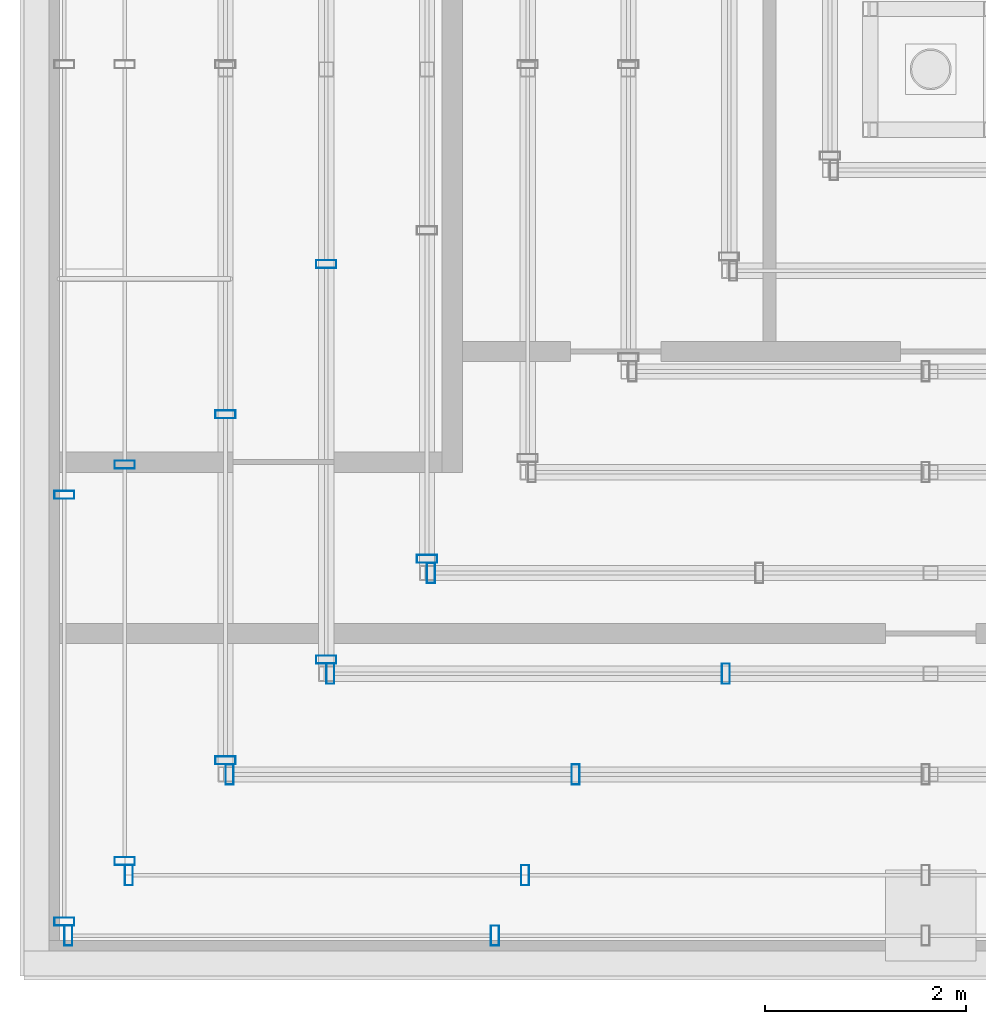
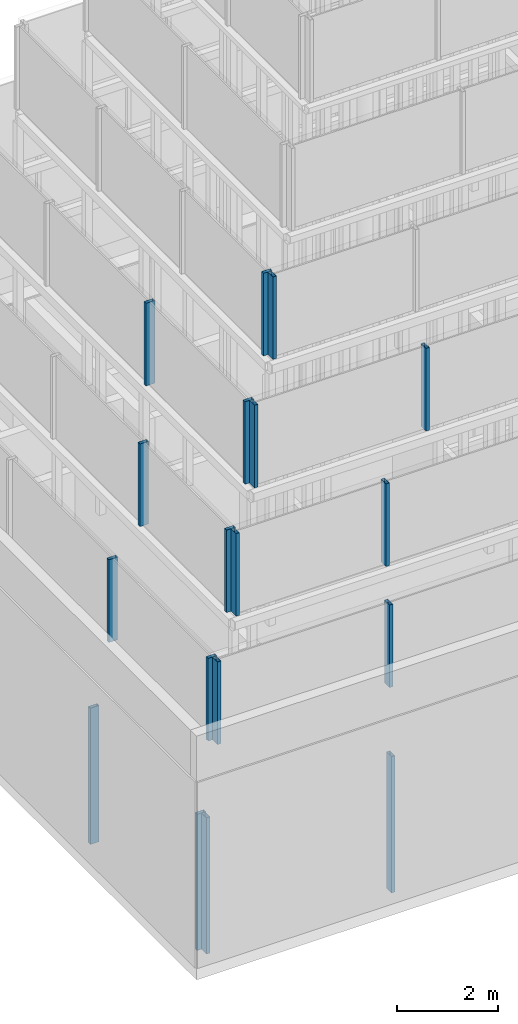
# One storey, part 4 of 24: 18 members, 10 elements without a shape of their own.
"""IFC4 building model written with IfcOpenShell, lengths in metres."""

from ifc_helpers import new_model, si_unit, direction, frame, origin, origin_2d, place, context, subcontext, project, spatial, hollow_rectangle, extrude, material, material_profile, profile_set, type_object, element, aggregate, save


model = new_model("IFC4")

# Units and contexts
model_context = context("Model", 3, precision=1e-05, world=origin(), true_north=direction((0.0, 1.0)))
body_context = subcontext(model_context, "Body", "Model", "MODEL_VIEW")
ifc_project = project(units=[si_unit("LENGTHUNIT", "METRE"), si_unit("AREAUNIT", "SQUARE_METRE"), si_unit("VOLUMEUNIT", "CUBIC_METRE"), si_unit("PLANEANGLEUNIT", "RADIAN"), si_unit("MASSUNIT", "GRAM", prefix="KILO")], contexts=[model_context])

# Site, building, storey
site_placement = place(None, origin())
site = spatial("IfcSite", under=ifc_project, at=site_placement, CompositionType="ELEMENT")
building_placement = place(site_placement, origin())
building = spatial("IfcBuilding", under=site, at=building_placement, Name="Altepetl Exchange Towers", CompositionType="ELEMENT")
storey_placement = place(building_placement, frame((0.0, 0.0, 279.10009765625)))
storey = spatial("IfcBuildingStorey", under=building, at=storey_placement, Name="L70 Crown plant", CompositionType="ELEMENT", Elevation=279.10009765625)

# Curtain wall, members
ifc_material_1 = material(Name="Aluminium 6063-T6 glazing", Category="aluminium")
curtain_wall_type = type_object("IfcCurtainWallType", Name="Crown glazing system", PredefinedType="NOTDEFINED", material=ifc_material_1)
curtain_wall_1_placement = place(storey_placement, origin())
curtain_wall_1 = element("IfcCurtainWall", 1, at=curtain_wall_1_placement, inside=storey, type_object=curtain_wall_type, Name="CW7 run", PredefinedType="NOTDEFINED")
ifc_material_2 = material(Name="Aluminium 6063-T6", Category="aluminium")
ifc_material_profile = material_profile(ifc_material_2, hollow_rectangle(XDim=0.080078125, YDim=0.199951171875, WallThickness=0.0029296875, at=origin_2d()), Name="Mullion 80x200 hollow aluminium")
ifc_profile_set = profile_set([ifc_material_profile], Name="Aluminium 6063-T6")
member_type = type_object("IfcMemberType", Name="Mullion 80x200 hollow aluminium", PredefinedType="MULLION", material=ifc_profile_set)
member_1_placement = place(storey_placement, frame((40.89990234375, 45.27490234375, 0.0), z_axis=(0.0, 0.0, 1.0), x_axis=(0.0, -1.0, 0.0)))
member_1 = element("IfcMember", 2, at=member_1_placement, type_object=member_type, Name="MU5 mullion", PredefinedType="MULLION", context=body_context, shape_type="SweptSolid", body=[
    extrude(hollow_rectangle(XDim=0.080078125, YDim=0.199951171875, WallThickness=0.0029296875, at=origin_2d()), origin(), (0.0, 0.0, 1.0), 3.2998046875),
])
member_2_placement = place(storey_placement, frame((40.89990234375, 41.0400390625, 0.0), z_axis=(0.0, 0.0, 1.0), x_axis=(0.0, -1.0, 0.0)))
member_2 = element("IfcMember", 3, at=member_2_placement, type_object=member_type, Name="MU5 mullion", PredefinedType="MULLION", context=body_context, shape_type="SweptSolid", body=[
    extrude(hollow_rectangle(XDim=0.080078125, YDim=0.199951171875, WallThickness=0.0029296875, at=origin_2d()), origin(), (0.0, 0.0, 1.0), 3.2998046875),
])
aggregate(curtain_wall_1, [member_1, member_2])

curtain_wall_2_placement = place(storey_placement, origin())
curtain_wall_2 = element("IfcCurtainWall", 4, at=curtain_wall_2_placement, inside=storey, type_object=curtain_wall_type, Name="CW7 run", PredefinedType="NOTDEFINED")
member_3_placement = place(storey_placement, frame((40.93994140625, 40.89990234375, 0.0)))
member_3 = element("IfcMember", 5, at=member_3_placement, type_object=member_type, Name="MU5 mullion", PredefinedType="MULLION", context=body_context, shape_type="SweptSolid", body=[
    extrude(hollow_rectangle(XDim=0.080078125, YDim=0.199951171875, WallThickness=0.0029296875, at=origin_2d()), origin(), (0.0, 0.0, 1.0), 3.2998046875),
])
member_4_placement = place(storey_placement, frame((45.175048828125, 40.89990234375, 0.0)))
member_4 = element("IfcMember", 6, at=member_4_placement, type_object=member_type, Name="MU5 mullion", PredefinedType="MULLION", context=body_context, shape_type="SweptSolid", body=[
    extrude(hollow_rectangle(XDim=0.080078125, YDim=0.199951171875, WallThickness=0.0029296875, at=origin_2d()), origin(), (0.0, 0.0, 1.0), 3.2998046875),
])
aggregate(curtain_wall_2, [member_3, member_4])

curtain_wall_3_placement = place(storey_placement, origin())
curtain_wall_3 = element("IfcCurtainWall", 7, at=curtain_wall_3_placement, inside=storey, type_object=curtain_wall_type, Name="CW7 run", PredefinedType="NOTDEFINED")
member_5_placement = place(storey_placement, frame((41.5400390625, 41.5, 4.5)))
member_5 = element("IfcMember", 8, at=member_5_placement, type_object=member_type, Name="MU5 mullion", PredefinedType="MULLION", context=body_context, shape_type="SweptSolid", body=[
    extrude(hollow_rectangle(XDim=0.080078125, YDim=0.199951171875, WallThickness=0.0029296875, at=origin_2d()), origin(), (0.0, 0.0, 1.0), 2.0),
])
member_6_placement = place(storey_placement, frame((45.47509765625, 41.5, 4.5)))
member_6 = element("IfcMember", 9, at=member_6_placement, type_object=member_type, Name="MU5 mullion", PredefinedType="MULLION", context=body_context, shape_type="SweptSolid", body=[
    extrude(hollow_rectangle(XDim=0.080078125, YDim=0.199951171875, WallThickness=0.0029296875, at=origin_2d()), origin(), (0.0, 0.0, 1.0), 2.0),
])
aggregate(curtain_wall_3, [member_5, member_6])

curtain_wall_4_placement = place(storey_placement, origin())
curtain_wall_4 = element("IfcCurtainWall", 10, at=curtain_wall_4_placement, inside=storey, type_object=curtain_wall_type, Name="CW7 run", PredefinedType="NOTDEFINED")
member_7_placement = place(storey_placement, frame((41.5, 45.574951171875, 4.5), z_axis=(0.0, 0.0, 1.0), x_axis=(0.0, -1.0, 0.0)))
member_7 = element("IfcMember", 11, at=member_7_placement, type_object=member_type, Name="MU5 mullion", PredefinedType="MULLION", context=body_context, shape_type="SweptSolid", body=[
    extrude(hollow_rectangle(XDim=0.080078125, YDim=0.199951171875, WallThickness=0.0029296875, at=origin_2d()), origin(), (0.0, 0.0, 1.0), 2.0),
])
member_8_placement = place(storey_placement, frame((41.5, 41.639892578125, 4.5), z_axis=(0.0, 0.0, 1.0), x_axis=(0.0, -1.0, 0.0)))
member_8 = element("IfcMember", 12, at=member_8_placement, type_object=member_type, Name="MU5 mullion", PredefinedType="MULLION", context=body_context, shape_type="SweptSolid", body=[
    extrude(hollow_rectangle(XDim=0.080078125, YDim=0.199951171875, WallThickness=0.0029296875, at=origin_2d()), origin(), (0.0, 0.0, 1.0), 2.0),
])
aggregate(curtain_wall_4, [member_7, member_8])

curtain_wall_5_placement = place(storey_placement, origin())
curtain_wall_5 = element("IfcCurtainWall", 13, at=curtain_wall_5_placement, inside=storey, type_object=curtain_wall_type, Name="CW7 run", PredefinedType="NOTDEFINED")
member_9_placement = place(storey_placement, frame((42.5400390625, 42.5, 6.64990234375)))
member_9 = element("IfcMember", 14, at=member_9_placement, type_object=member_type, Name="MU5 mullion", PredefinedType="MULLION", context=body_context, shape_type="SweptSolid", body=[
    extrude(hollow_rectangle(XDim=0.080078125, YDim=0.199951171875, WallThickness=0.0029296875, at=origin_2d()), origin(), (0.0, 0.0, 1.0), 2.0),
])
member_10_placement = place(storey_placement, frame((45.97509765625, 42.5, 6.64990234375)))
member_10 = element("IfcMember", 15, at=member_10_placement, type_object=member_type, Name="MU5 mullion", PredefinedType="MULLION", context=body_context, shape_type="SweptSolid", body=[
    extrude(hollow_rectangle(XDim=0.080078125, YDim=0.199951171875, WallThickness=0.0029296875, at=origin_2d()), origin(), (0.0, 0.0, 1.0), 2.0),
])
aggregate(curtain_wall_5, [member_9, member_10])

curtain_wall_6_placement = place(storey_placement, origin())
curtain_wall_6 = element("IfcCurtainWall", 16, at=curtain_wall_6_placement, inside=storey, type_object=curtain_wall_type, Name="CW7 run", PredefinedType="NOTDEFINED")
member_11_placement = place(storey_placement, frame((42.5, 46.074951171875, 6.64990234375), z_axis=(0.0, 0.0, 1.0), x_axis=(0.0, -1.0, 0.0)))
member_11 = element("IfcMember", 17, at=member_11_placement, type_object=member_type, Name="MU5 mullion", PredefinedType="MULLION", context=body_context, shape_type="SweptSolid", body=[
    extrude(hollow_rectangle(XDim=0.080078125, YDim=0.199951171875, WallThickness=0.0029296875, at=origin_2d()), origin(), (0.0, 0.0, 1.0), 2.0),
])
member_12_placement = place(storey_placement, frame((42.5, 42.639892578125, 6.64990234375), z_axis=(0.0, 0.0, 1.0), x_axis=(0.0, -1.0, 0.0)))
member_12 = element("IfcMember", 18, at=member_12_placement, type_object=member_type, Name="MU5 mullion", PredefinedType="MULLION", context=body_context, shape_type="SweptSolid", body=[
    extrude(hollow_rectangle(XDim=0.080078125, YDim=0.199951171875, WallThickness=0.0029296875, at=origin_2d()), origin(), (0.0, 0.0, 1.0), 2.0),
])
aggregate(curtain_wall_6, [member_11, member_12])

curtain_wall_7_placement = place(storey_placement, origin())
curtain_wall_7 = element("IfcCurtainWall", 19, at=curtain_wall_7_placement, inside=storey, type_object=curtain_wall_type, Name="CW7 run", PredefinedType="NOTDEFINED")
member_13_placement = place(storey_placement, frame((43.5400390625, 43.5, 8.7998046875)))
member_13 = element("IfcMember", 20, at=member_13_placement, type_object=member_type, Name="MU5 mullion", PredefinedType="MULLION", context=body_context, shape_type="SweptSolid", body=[
    extrude(hollow_rectangle(XDim=0.080078125, YDim=0.199951171875, WallThickness=0.0029296875, at=origin_2d()), origin(), (0.0, 0.0, 1.0), 2.0),
])
member_14_placement = place(storey_placement, frame((47.466552734375, 43.5, 8.7998046875)))
member_14 = element("IfcMember", 21, at=member_14_placement, type_object=member_type, Name="MU5 mullion", PredefinedType="MULLION", context=body_context, shape_type="SweptSolid", body=[
    extrude(hollow_rectangle(XDim=0.080078125, YDim=0.199951171875, WallThickness=0.0029296875, at=origin_2d()), origin(), (0.0, 0.0, 1.0), 2.0),
])
aggregate(curtain_wall_7, [member_13, member_14])

curtain_wall_8_placement = place(storey_placement, origin())
curtain_wall_8 = element("IfcCurtainWall", 22, at=curtain_wall_8_placement, inside=storey, type_object=curtain_wall_type, Name="CW7 run", PredefinedType="NOTDEFINED")
member_15_placement = place(storey_placement, frame((43.5, 47.566650390625, 8.7998046875), z_axis=(0.0, 0.0, 1.0), x_axis=(0.0, -1.0, 0.0)))
member_15 = element("IfcMember", 23, at=member_15_placement, type_object=member_type, Name="MU5 mullion", PredefinedType="MULLION", context=body_context, shape_type="SweptSolid", body=[
    extrude(hollow_rectangle(XDim=0.080078125, YDim=0.199951171875, WallThickness=0.0029296875, at=origin_2d()), origin(), (0.0, 0.0, 1.0), 2.0),
])
member_16_placement = place(storey_placement, frame((43.5, 43.639892578125, 8.7998046875), z_axis=(0.0, 0.0, 1.0), x_axis=(0.0, -1.0, 0.0)))
member_16 = element("IfcMember", 24, at=member_16_placement, type_object=member_type, Name="MU5 mullion", PredefinedType="MULLION", context=body_context, shape_type="SweptSolid", body=[
    extrude(hollow_rectangle(XDim=0.080078125, YDim=0.199951171875, WallThickness=0.0029296875, at=origin_2d()), origin(), (0.0, 0.0, 1.0), 2.0),
])
aggregate(curtain_wall_8, [member_15, member_16])

# Curtain wall, member
curtain_wall_9_placement = place(storey_placement, origin())
curtain_wall_9 = element("IfcCurtainWall", 25, at=curtain_wall_9_placement, inside=storey, type_object=curtain_wall_type, Name="CW7 run", PredefinedType="NOTDEFINED")
member_17_placement = place(storey_placement, frame((44.5400390625, 44.5, 10.949951171875)))
member_17 = element("IfcMember", 26, at=member_17_placement, type_object=member_type, Name="MU5 mullion", PredefinedType="MULLION", context=body_context, shape_type="SweptSolid", body=[
    extrude(hollow_rectangle(XDim=0.080078125, YDim=0.199951171875, WallThickness=0.0029296875, at=origin_2d()), origin(), (0.0, 0.0, 1.0), 2.0),
])
aggregate(curtain_wall_9, [member_17])

curtain_wall_10_placement = place(storey_placement, origin())
curtain_wall_10 = element("IfcCurtainWall", 27, at=curtain_wall_10_placement, inside=storey, type_object=curtain_wall_type, Name="CW7 run", PredefinedType="NOTDEFINED")
member_18_placement = place(storey_placement, frame((44.5, 44.639892578125, 10.949951171875), z_axis=(0.0, 0.0, 1.0), x_axis=(0.0, -1.0, 0.0)))
member_18 = element("IfcMember", 28, at=member_18_placement, type_object=member_type, Name="MU5 mullion", PredefinedType="MULLION", context=body_context, shape_type="SweptSolid", body=[
    extrude(hollow_rectangle(XDim=0.080078125, YDim=0.199951171875, WallThickness=0.0029296875, at=origin_2d()), origin(), (0.0, 0.0, 1.0), 2.0),
])
aggregate(curtain_wall_10, [member_18])

save(model, "model.ifc")
